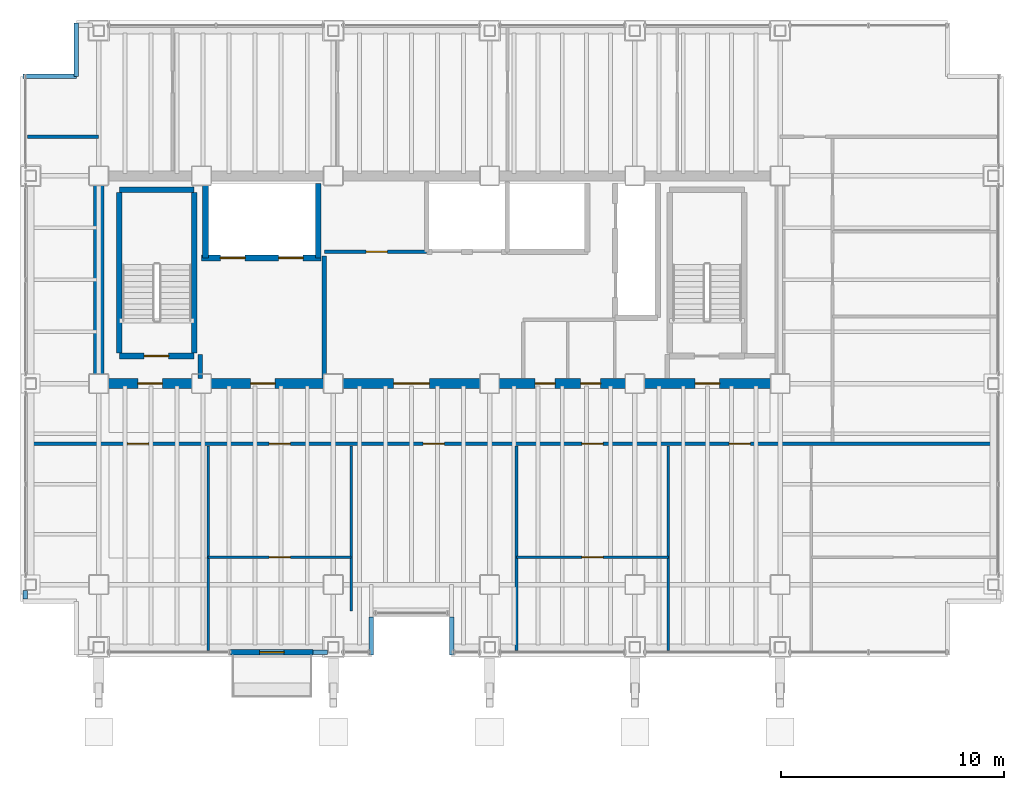
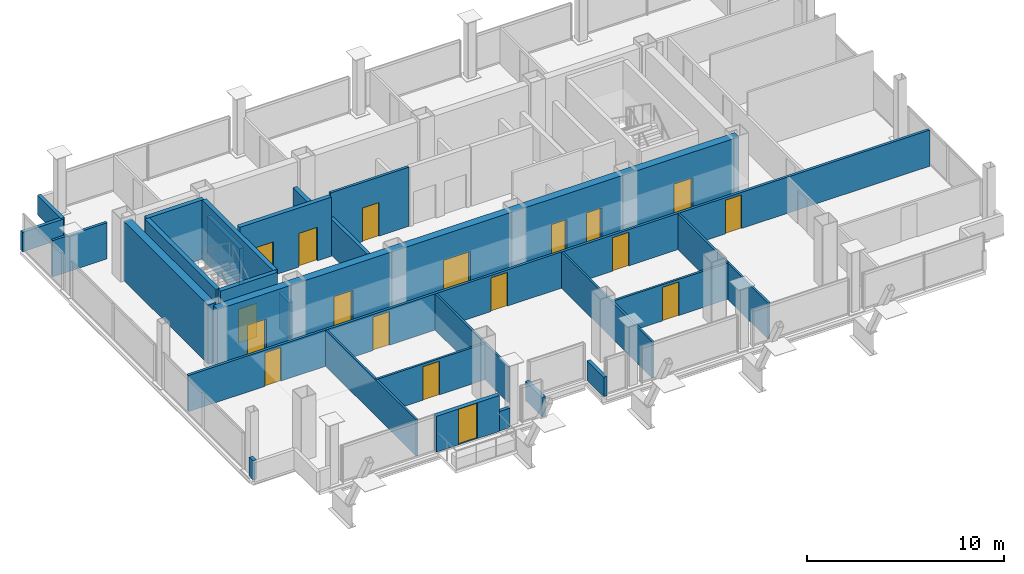
# One storey, part 13 of 16: 27 walls, 18 doors, 18 openings.
"""IFC4 building model written with IfcOpenShell, lengths in metres."""

import ifcopenshell
import ifcopenshell.guid

model = None  # the IFC model being written
_history = None  # IfcOwnerHistory: only IFC2X3 demands one
_inside = {}  # id of a spatial element -> (the spatial element, [elements in it])
_under = {}  # id of a project, library or spatial element -> (it, [spatial elements below it])
_declared = {}  # id of a project -> (the project, [libraries it declares])
_typed = {}  # id of a type object -> (the type object, [elements of that type])
_made_of = {}  # id of a material, layer set ... -> (it, [elements and type objects made of it])


def new_model(schema):
    """Start an empty IFC model of exactly this schema.

    Asked for "IFC4X3", IfcOpenShell would pick the latest addendum, in which some entities
    have other attributes; the version numbers below select the first issue.
    IFC2X3 requires an IfcOwnerHistory on every rooted entity: one is made here for all.
    """
    global model, _history
    if schema == "IFC4X3":
        model = ifcopenshell.file(schema_version=(4, 3, 0, 0))
    else:
        model = ifcopenshell.file(schema=schema)
    _inside.clear()
    _under.clear()
    _declared.clear()
    _typed.clear()
    _made_of.clear()
    _history = None
    if model.schema == "IFC2X3":
        org = make("IfcOrganization", Name="unknown")
        user = make(
            "IfcPersonAndOrganization",
            ThePerson=make("IfcPerson", FamilyName="unknown"),
            TheOrganization=org,
        )
        app = make(
            "IfcApplication",
            ApplicationDeveloper=org,
            Version="unknown",
            ApplicationFullName="unknown",
            ApplicationIdentifier="unknown",
        )
        _history = make(
            "IfcOwnerHistory",
            OwningUser=user,
            OwningApplication=app,
            ChangeAction="ADDED",
            CreationDate=0,
        )
    return model


def make(cls, **values):
    """One entity of the class cls with the attributes given. An attribute that is None is left unset."""
    return model.create_entity(
        cls, **{name: value for name, value in values.items() if value is not None}
    )


def rooted(cls, **values):
    """An entity with a GlobalId (a new one), such as an element, a storey or a relation."""
    return make(cls, GlobalId=ifcopenshell.guid.new(), OwnerHistory=_history, **values)


def si_unit(unit_type, name, prefix=None):
    """IfcSIUnit, for example si_unit("LENGTHUNIT", "METRE", prefix="MILLI")."""
    return make("IfcSIUnit", UnitType=unit_type, Prefix=prefix, Name=name)


def assignment(units):
    """IfcUnitAssignment: the units of a project."""
    return None if units is None else make("IfcUnitAssignment", Units=units)


def point(xyz):
    """IfcCartesianPoint."""
    return None if xyz is None else make("IfcCartesianPoint", Coordinates=xyz)


def direction(xyz):
    """IfcDirection."""
    return None if xyz is None else make("IfcDirection", DirectionRatios=xyz)


def frame(location, z_axis=None, x_axis=None):
    """IfcAxis2Placement3D, a coordinate frame: its origin and axes. An axis left out is left unset."""
    return make(
        "IfcAxis2Placement3D",
        Location=point(location),
        Axis=direction(z_axis),
        RefDirection=direction(x_axis),
    )


def frame_2d(location, x_axis=None):
    """IfcAxis2Placement2D, a coordinate frame in the plane: its origin and x axis."""
    return make(
        "IfcAxis2Placement2D", Location=point(location), RefDirection=direction(x_axis)
    )


def origin():
    """The frame at (0, 0, 0) with its axes left unset."""
    return frame((0.0, 0.0, 0.0))


def place(relative_to, where):
    """IfcLocalPlacement: puts the frame where relative to a parent placement (None: the world)."""
    return make(
        "IfcLocalPlacement", PlacementRelTo=relative_to, RelativePlacement=where
    )


def context(
    kind, dimensions, precision=None, world=None, true_north=None, identifier=None
):
    """IfcGeometricRepresentationContext, for example the 3D "Model" context."""
    return make(
        "IfcGeometricRepresentationContext",
        ContextIdentifier=identifier,
        ContextType=kind,
        CoordinateSpaceDimension=dimensions,
        Precision=precision,
        WorldCoordinateSystem=world,
        TrueNorth=true_north,
    )


def subcontext(parent, identifier, kind, view, scale=None):
    """IfcGeometricRepresentationSubContext, for example "Body" below "Model"."""
    return make(
        "IfcGeometricRepresentationSubContext",
        ContextIdentifier=identifier,
        ContextType=kind,
        ParentContext=parent,
        TargetScale=scale,
        TargetView=view,
    )


def project(units=None, contexts=None):
    """IfcProject with its units and contexts."""
    return rooted(
        "IfcProject",
        Name="project",
        RepresentationContexts=contexts,
        UnitsInContext=assignment(units),
    )


def spatial(cls, under=None, at=None, **own):
    """A site, building, storey or space (cls), placed at a placement, below another one or the project."""
    s = rooted(cls, ObjectPlacement=at, **own)
    if under is not None:
        _under.setdefault(under.id(), (under, []))[1].append(s)
    return s


def profile(cls, at=None, kind="AREA", **sizes):
    """A parametric profile (cls). Its sizes go by their IFC names, for example OverallWidth=200.0."""
    return make(cls, ProfileType=kind, Position=at, **sizes)


def rectangle(**sizes):
    """IfcRectangleProfileDef."""
    return profile("IfcRectangleProfileDef", **sizes)


def extrude(swept, where, along, depth):
    """IfcExtrudedAreaSolid: the profile swept, set in the frame where, extruded along a direction by depth."""
    return make(
        "IfcExtrudedAreaSolid",
        SweptArea=swept,
        Position=where,
        ExtrudedDirection=direction(along),
        Depth=depth,
    )


def shape(context_of_items, identifier, shape_type, items):
    """IfcShapeRepresentation: the items that make up one representation, for example the "Body"."""
    return make(
        "IfcShapeRepresentation",
        ContextOfItems=context_of_items,
        RepresentationIdentifier=identifier,
        RepresentationType=shape_type,
        Items=items,
    )


def material(Name=None, Category=None):
    """IfcMaterial."""
    return make("IfcMaterial", Name=Name, Category=Category)


def layer(
    of_material, thickness, ventilated=None, Name=None, Category=None, Priority=None
):
    """IfcMaterialLayer: one layer of a wall or slab, of a material (None: an air gap)."""
    return make(
        "IfcMaterialLayer",
        Material=of_material,
        LayerThickness=thickness,
        IsVentilated=ventilated,
        Name=Name,
        Category=Category,
        Priority=Priority,
    )


def layer_set(layers, Name=None):
    """IfcMaterialLayerSet."""
    return make("IfcMaterialLayerSet", MaterialLayers=layers, LayerSetName=Name)


def made_of(thing, what):
    """Note that an element or type object is made of a material, layer set ...; save() writes the relation."""
    if what is not None:
        _made_of.setdefault(what.id(), (what, []))[1].append(thing)
    return thing


def type_object(cls, material=None, **own):
    """A type object (cls), such as IfcWallType, which elements share."""
    return made_of(rooted(cls, **own), material)


def element(
    cls,
    number,
    at=None,
    inside=None,
    cuts=None,
    type_object=None,
    material=None,
    context=None,
    identifier="Body",
    shape_type=None,
    held_by="IfcProductDefinitionShape",
    body=None,
    shapes=None,
    **own,
):
    """One element of the class cls, such as IfcWall. Its Tag is "e" and its number.

    at: its placement. inside: the storey or other place that contains it. cuts: it is an
    opening in that element (IfcRelVoidsElement). A single representation is given by context,
    identifier, shape_type and body (its items); several are given by shapes. held_by: the class
    of the entity that holds the representations. save() writes the other relations.
    """
    e = rooted(cls, Tag="e%d" % number, ObjectPlacement=at, **own)
    if body is not None:
        shapes = [shape(context, identifier, shape_type, body)]
    if shapes is not None:
        e.Representation = make(held_by, Representations=shapes)
    if inside is not None:
        _inside.setdefault(inside.id(), (inside, []))[1].append(e)
    if cuts is not None:
        rooted(
            "IfcRelVoidsElement", RelatingBuildingElement=cuts, RelatedOpeningElement=e
        )
    if type_object is not None:
        _typed.setdefault(type_object.id(), (type_object, []))[1].append(e)
    return made_of(e, material)


def fill(opening, filler):
    """IfcRelFillsElement: the door or window that sits in an opening."""
    return rooted(
        "IfcRelFillsElement",
        RelatingOpeningElement=opening,
        RelatedBuildingElement=filler,
    )


def aggregate(whole, parts):
    """IfcRelAggregates: a whole, such as a stair, and the parts it consists of."""
    return rooted("IfcRelAggregates", RelatingObject=whole, RelatedObjects=parts)


def save(model, path):
    """Write the relations noted so far, then the file.

    IfcRelAggregates (storeys below a building ...), IfcRelContainedInSpatialStructure (elements
    in a storey), IfcRelDefinesByType, IfcRelAssociatesMaterial and IfcRelDeclares: one each for
    every whole, place, type object, material and project.
    """
    for whole, parts in _under.values():
        aggregate(whole, parts)
    for where, things in _inside.values():
        rooted(
            "IfcRelContainedInSpatialStructure",
            RelatedElements=things,
            RelatingStructure=where,
        )
    for kind, things in _typed.values():
        rooted("IfcRelDefinesByType", RelatedObjects=things, RelatingType=kind)
    for what, things in _made_of.values():
        rooted("IfcRelAssociatesMaterial", RelatedObjects=things, RelatingMaterial=what)
    for by, libraries in _declared.values():
        rooted("IfcRelDeclares", RelatingContext=by, RelatedDefinitions=libraries)
    model.write(path)


model = new_model("IFC4")

# Units and contexts
model_context = context("Model", 3, precision=1e-05, world=origin(), true_north=direction((0.0, 1.0)))
body_context = subcontext(model_context, "Body", "Model", "MODEL_VIEW")
ifc_project = project(units=[si_unit("LENGTHUNIT", "METRE"), si_unit("AREAUNIT", "SQUARE_METRE"), si_unit("VOLUMEUNIT", "CUBIC_METRE"), si_unit("PLANEANGLEUNIT", "RADIAN"), si_unit("MASSUNIT", "GRAM", prefix="KILO")], contexts=[model_context])

# Site, building, storey
site_placement = place(None, origin())
site = spatial("IfcSite", under=ifc_project, at=site_placement, CompositionType="ELEMENT")
building_placement = place(site_placement, origin())
building = spatial("IfcBuilding", under=site, at=building_placement, Name="Noeulbin Bourse Tower", CompositionType="ELEMENT")
storey_placement = place(building_placement, frame((0.0, 0.0, 192.89990234375)))
storey = spatial("IfcBuildingStorey", under=building, at=storey_placement, Name="L48", CompositionType="ELEMENT", Elevation=192.89990234375)

# Wall, openings, doors
ifc_material_1 = material(Name="Concrete C50/60", Category="concrete")
ifc_layer_1 = layer(ifc_material_1, 0.449951171875)
ifc_layer_set_1 = layer_set([ifc_layer_1], Name="Concrete C50/60")
wall_type_1 = type_object("IfcWallType", Name="WAL-CORE-450", PredefinedType="SHEAR", material=ifc_layer_set_1)
wall_1_placement = place(storey_placement, frame((13.5, 29.0, 0.0), z_axis=(0.0, 0.0, 1.0), x_axis=(1.0, 0.0, 0.0)))
wall_1 = element("IfcWall", 1, at=wall_1_placement, inside=storey, type_object=wall_type_1, Name="Rear Core South Shear Wall L48", PredefinedType="SHEAR", context=body_context, shape_type="SweptSolid", body=[
    extrude(rectangle(XDim=30.5, YDim=0.449951171875, at=frame_2d((15.25, 0.0))), origin(), (0.0, 0.0, 1.0), 3.66015625),
])
opening_1_placement = place(wall_1_placement, frame((1.75, 0.0, 0.0)))
opening_1 = element("IfcOpeningElement", 2, at=opening_1_placement, cuts=wall_1, Name="Opening FD-11", PredefinedType="OPENING", context=body_context, shape_type="SweptSolid", body=[
    extrude(rectangle(XDim=1.10009765625, YDim=2.080078125, at=frame_2d((0.550048828125, 1.0400390625))), frame((0.0, 0.23486328125, 0.0), z_axis=(0.0, -1.0, 0.0), x_axis=(1.0, 0.0, 0.0)), (0.0, 0.0, 1.0), 0.469970703125),
])
opening_2_placement = place(wall_1_placement, frame((26.699951171875, 0.0, 0.0)))
opening_2 = element("IfcOpeningElement", 3, at=opening_2_placement, cuts=wall_1, Name="Opening FD-11", PredefinedType="OPENING", context=body_context, shape_type="SweptSolid", body=[
    extrude(rectangle(XDim=1.10009765625, YDim=2.080078125, at=frame_2d((0.550048828125, 1.0400390625))), frame((0.0, 0.23486328125, 0.0), z_axis=(0.0, -1.0, 0.0), x_axis=(1.0, 0.0, 0.0)), (0.0, 0.0, 1.0), 0.469970703125),
])
opening_3_placement = place(wall_1_placement, frame((6.800048828125, 0.0, 0.0)))
opening_3 = element("IfcOpeningElement", 4, at=opening_3_placement, cuts=wall_1, Name="Opening FD-11", PredefinedType="OPENING", context=body_context, shape_type="SweptSolid", body=[
    extrude(rectangle(XDim=1.10009765625, YDim=2.080078125, at=frame_2d((0.550048828125, 1.0400390625))), frame((0.0, 0.23486328125, 0.0), z_axis=(0.0, -1.0, 0.0), x_axis=(1.0, 0.0, 0.0)), (0.0, 0.0, 1.0), 0.469970703125),
])
opening_4_placement = place(wall_1_placement, frame((13.199951171875, 0.0, 0.0)))
opening_4 = element("IfcOpeningElement", 5, at=opening_4_placement, cuts=wall_1, Name="Opening ID-16", PredefinedType="OPENING", context=body_context, shape_type="SweptSolid", body=[
    extrude(rectangle(XDim=1.60009765625, YDim=2.080078125, at=frame_2d((0.800048828125, 1.0400390625))), frame((0.0, 0.23486328125, 0.0), z_axis=(0.0, -1.0, 0.0), x_axis=(1.0, 0.0, 0.0)), (0.0, 0.0, 1.0), 0.469970703125),
])
opening_5_placement = place(wall_1_placement, frame((19.530029296875, 0.0, 0.0)))
opening_5 = element("IfcOpeningElement", 6, at=opening_5_placement, cuts=wall_1, Name="Opening FD-09", PredefinedType="OPENING", context=body_context, shape_type="SweptSolid", body=[
    extrude(rectangle(XDim=0.89990234375, YDim=2.080078125, at=frame_2d((0.449951171875, 1.0400390625))), frame((0.0, 0.23486328125, 0.0), z_axis=(0.0, -1.0, 0.0), x_axis=(1.0, 0.0, 0.0)), (0.0, 0.0, 1.0), 0.469970703125),
])
opening_6_placement = place(wall_1_placement, frame((21.570068359375, 0.0, 0.0)))
opening_6 = element("IfcOpeningElement", 7, at=opening_6_placement, cuts=wall_1, Name="Opening FD-09", PredefinedType="OPENING", context=body_context, shape_type="SweptSolid", body=[
    extrude(rectangle(XDim=0.89990234375, YDim=2.080078125, at=frame_2d((0.449951171875, 1.0400390625))), frame((0.0, 0.23486328125, 0.0), z_axis=(0.0, -1.0, 0.0), x_axis=(1.0, 0.0, 0.0)), (0.0, 0.0, 1.0), 0.469970703125),
])
ifc_material_2 = material(Name="Acoustic Glazed Aluminium", Category="aluminium")
door_type_1 = type_object("IfcDoorType", Name="DR-DBL-1600", OperationType="DOUBLE_DOOR_SINGLE_SWING", PredefinedType="DOOR", material=ifc_material_2)
door_1_placement = place(opening_4_placement, origin())
door_1 = element("IfcDoor", 8, at=door_1_placement, inside=storey, type_object=door_type_1, Name="Passenger Lift Lobby Portal L48", OperationType="DOUBLE_DOOR_SINGLE_SWING", OverallHeight=2.080078125, OverallWidth=1.60009765625, PredefinedType="DOOR", context=body_context, shape_type="SweptSolid", body=[
    extrude(rectangle(XDim=1.60009765625, YDim=2.080078125, at=frame_2d((0.800048828125, 1.0400390625))), frame((0.0, 0.02490234375, 0.0), z_axis=(0.0, -1.0, 0.0), x_axis=(1.0, 0.0, 0.0)), (0.0, 0.0, 1.0), 0.050048828125),
])
fill(opening_4, door_1)
ifc_material_3 = material(Name="Fire-Rated Timber Core", Category="wood")
door_type_2 = type_object("IfcDoorType", Name="DR-FD30-900", OperationType="SINGLE_SWING_RIGHT", PredefinedType="DOOR", material=ifc_material_3)
door_2_placement = place(opening_5_placement, origin())
door_2 = element("IfcDoor", 9, at=door_2_placement, inside=storey, type_object=door_type_2, Name="Interior Door L48-06", OperationType="SINGLE_SWING_RIGHT", OverallHeight=2.080078125, OverallWidth=0.89990234375, PredefinedType="DOOR", context=body_context, shape_type="SweptSolid", body=[
    extrude(rectangle(XDim=0.89990234375, YDim=2.080078125, at=frame_2d((0.449951171875, 1.0400390625))), frame((0.0, 0.02490234375, 0.0), z_axis=(0.0, -1.0, 0.0), x_axis=(1.0, 0.0, 0.0)), (0.0, 0.0, 1.0), 0.050048828125),
])
fill(opening_5, door_2)
door_3_placement = place(opening_6_placement, origin())
door_3 = element("IfcDoor", 10, at=door_3_placement, inside=storey, type_object=door_type_2, Name="Interior Door L48-07", OperationType="SINGLE_SWING_LEFT", OverallHeight=2.080078125, OverallWidth=0.89990234375, PredefinedType="DOOR", context=body_context, shape_type="SweptSolid", body=[
    extrude(rectangle(XDim=0.89990234375, YDim=2.080078125, at=frame_2d((0.449951171875, 1.0400390625))), frame((0.0, 0.02490234375, 0.0), z_axis=(0.0, -1.0, 0.0), x_axis=(1.0, 0.0, 0.0)), (0.0, 0.0, 1.0), 0.050048828125),
])
fill(opening_6, door_3)
ifc_material_4 = material(Name="Fire-Rated Insulated Steel", Category="steel")
door_type_3 = type_object("IfcDoorType", Name="DR-FD60-1100", OperationType="SINGLE_SWING_LEFT", PredefinedType="DOOR", material=ifc_material_4)
door_4_placement = place(opening_1_placement, origin())
door_4 = element("IfcDoor", 11, at=door_4_placement, inside=storey, type_object=door_type_3, Name="West Stair Lobby Door L48", OperationType="SINGLE_SWING_LEFT", OverallHeight=2.080078125, OverallWidth=1.10009765625, PredefinedType="DOOR", context=body_context, shape_type="SweptSolid", body=[
    extrude(rectangle(XDim=1.10009765625, YDim=2.080078125, at=frame_2d((0.550048828125, 1.0400390625))), frame((0.0, 0.02490234375, 0.0), z_axis=(0.0, -1.0, 0.0), x_axis=(1.0, 0.0, 0.0)), (0.0, 0.0, 1.0), 0.050048828125),
])
fill(opening_1, door_4)
door_5_placement = place(opening_2_placement, origin())
door_5 = element("IfcDoor", 12, at=door_5_placement, inside=storey, type_object=door_type_3, Name="East Stair Lobby Door L48", OperationType="SINGLE_SWING_RIGHT", OverallHeight=2.080078125, OverallWidth=1.10009765625, PredefinedType="DOOR", context=body_context, shape_type="SweptSolid", body=[
    extrude(rectangle(XDim=1.10009765625, YDim=2.080078125, at=frame_2d((0.550048828125, 1.0400390625))), frame((0.0, 0.02490234375, 0.0), z_axis=(0.0, -1.0, 0.0), x_axis=(1.0, 0.0, 0.0)), (0.0, 0.0, 1.0), 0.050048828125),
])
fill(opening_2, door_5)
door_6_placement = place(opening_3_placement, origin())
door_6 = element("IfcDoor", 13, at=door_6_placement, inside=storey, type_object=door_type_3, Name="Firefighting Lobby Door L48", OperationType="SINGLE_SWING_LEFT", OverallHeight=2.080078125, OverallWidth=1.10009765625, PredefinedType="DOOR", context=body_context, shape_type="SweptSolid", body=[
    extrude(rectangle(XDim=1.10009765625, YDim=2.080078125, at=frame_2d((0.550048828125, 1.0400390625))), frame((0.0, 0.02490234375, 0.0), z_axis=(0.0, -1.0, 0.0), x_axis=(1.0, 0.0, 0.0)), (0.0, 0.0, 1.0), 0.050048828125),
])
fill(opening_3, door_6)

# Wall
wall_2_placement = place(storey_placement, frame((13.5, 29.35009765625, 0.0), z_axis=(0.0, 0.0, 1.0), x_axis=(0.0, 1.0, 0.0)))
element("IfcWall", 14, at=wall_2_placement, inside=storey, type_object=wall_type_1, Name="Rear Core West Shear Wall L48", PredefinedType="SHEAR", context=body_context, shape_type="SweptSolid", body=[
    extrude(rectangle(XDim=8.599853515625, YDim=0.449951171875, at=frame_2d((4.2998046875, 0.0))), origin(), (0.0, 0.0, 1.0), 3.66015625),
])

# Wall, opening, door
ifc_material_5 = material(Name="Precast Concrete C40/50", Category="concrete")
ifc_layer_2 = layer(ifc_material_5, 0.25)
ifc_layer_set_2 = layer_set([ifc_layer_2], Name="Precast Concrete C40/50")
wall_type_2 = type_object("IfcWallType", Name="WAL-EXT-250", PredefinedType="STANDARD", material=ifc_layer_set_2)
wall_3_placement = place(storey_placement, frame((19.39990234375, 16.969970703125, 0.0), z_axis=(0.0, 0.0, 1.0), x_axis=(1.0, 0.0, 0.0)))
wall_3 = element("IfcWall", 15, at=wall_3_placement, inside=storey, type_object=wall_type_2, Name="Balcony Threshold Wall L48", PredefinedType="STANDARD", context=body_context, shape_type="SweptSolid", body=[
    extrude(rectangle(XDim=3.7001953125, YDim=0.25, at=frame_2d((1.85009765625, 0.0))), origin(), (0.0, 0.0, 1.0), 2.22021484375),
])
opening_7_placement = place(wall_3_placement, frame((1.300048828125, 0.0, 0.0)))
opening_7 = element("IfcOpeningElement", 16, at=opening_7_placement, cuts=wall_3, Name="Opening BD-11", PredefinedType="OPENING", context=body_context, shape_type="SweptSolid", body=[
    extrude(rectangle(XDim=1.10009765625, YDim=2.199951171875, at=frame_2d((0.550048828125, 1.10009765625))), frame((0.0, 0.135009765625, 0.0), z_axis=(0.0, -1.0, 0.0), x_axis=(1.0, 0.0, 0.0)), (0.0, 0.0, 1.0), 0.27001953125),
])
ifc_material_6 = material(Name="Thermally Broken Aluminium Framed Glass", Category="aluminium")
door_type_4 = type_object("IfcDoorType", Name="DR-BAL-1100", OperationType="SINGLE_SWING_LEFT", PredefinedType="DOOR", material=ifc_material_6)
door_7_placement = place(opening_7_placement, origin())
door_7 = element("IfcDoor", 17, at=door_7_placement, inside=storey, type_object=door_type_4, Name="Tree-Balcony Access Door BD-L48", OperationType="SINGLE_SWING_RIGHT", OverallHeight=2.199951171875, OverallWidth=1.10009765625, PredefinedType="DOOR", context=body_context, shape_type="SweptSolid", body=[
    extrude(rectangle(XDim=1.10009765625, YDim=2.199951171875, at=frame_2d((0.550048828125, 1.10009765625))), frame((0.0, 0.02490234375, 0.0), z_axis=(0.0, -1.0, 0.0), x_axis=(1.0, 0.0, 0.0)), (0.0, 0.0, 1.0), 0.050048828125),
])
fill(opening_7, door_7)

# Walls
ifc_material_7 = material(Name="Concrete C40/50", Category="concrete")
ifc_layer_3 = layer(ifc_material_7, 0.199951171875)
ifc_layer_set_3 = layer_set([ifc_layer_3], Name="Concrete C40/50")
wall_type_3 = type_object("IfcWallType", Name="WAL-FIRE-200", PredefinedType="STANDARD", material=ifc_layer_set_3)
wall_4_placement = place(storey_placement, frame((18.050048828125, 29.235107421875, 0.0), z_axis=(0.0, 0.0, 1.0), x_axis=(0.0, 1.0, 0.0)))
element("IfcWall", 18, at=wall_4_placement, inside=storey, type_object=wall_type_3, Name="Interior Partition Wall L48-12", PredefinedType="STANDARD", context=body_context, shape_type="SweptSolid", body=[
    extrude(rectangle(XDim=1.06494140625, YDim=0.199951171875, at=frame_2d((0.532470703125, 0.0))), origin(), (0.0, 0.0, 1.0), 2.239990234375),
])
wall_5_placement = place(storey_placement, frame((23.60009765625, 29.235107421875, 0.0), z_axis=(0.0, 0.0, 1.0), x_axis=(0.0, 1.0, 0.0)))
element("IfcWall", 19, at=wall_5_placement, inside=storey, type_object=wall_type_3, Name="Interior Partition Wall L48-14", PredefinedType="STANDARD", context=body_context, shape_type="SweptSolid", body=[
    extrude(rectangle(XDim=5.46484375, YDim=0.199951171875, at=frame_2d((2.732421875, 0.0))), origin(), (0.0, 0.0, 1.0), 2.239990234375),
])
ifc_layer_4 = layer(ifc_material_7, 0.199951171875)
ifc_layer_set_4 = layer_set([ifc_layer_4], Name="Concrete C40/50")
wall_type_4 = type_object("IfcWallType", Name="WAL-PAR-200", PredefinedType="PARAPET", material=ifc_layer_set_4)
wall_6_placement = place(storey_placement, frame((10.219970703125, 19.35009765625, 0.0), z_axis=(0.0, 0.0, 1.0), x_axis=(0.0, 1.0, 0.0)))
element("IfcWall", 20, at=wall_6_placement, inside=storey, type_object=wall_type_4, Name="Perimeter Pier Spandrel Parapet L48-W2", PredefinedType="PARAPET", context=body_context, shape_type="SweptSolid", body=[
    extrude(rectangle(XDim=0.3798828125, YDim=0.199951171875, at=frame_2d((0.18994140625, 0.0))), origin(), (0.0, 0.0, 1.0), 1.2001953125),
])
wall_7_placement = place(storey_placement, frame((23.10009765625, 16.969970703125, 0.0), z_axis=(0.0, 0.0, 1.0), x_axis=(1.0, 0.0, 0.0)))
element("IfcWall", 21, at=wall_7_placement, inside=storey, type_object=wall_type_4, Name="Perimeter Pier Spandrel Parapet L48-S5", PredefinedType="PARAPET", context=body_context, shape_type="SweptSolid", body=[
    extrude(rectangle(XDim=0.6298828125, YDim=0.199951171875, at=frame_2d((0.31494140625, 0.0))), origin(), (0.0, 0.0, 1.0), 1.2001953125),
])
for number, where, z_axis, x_axis, name in (
    (22, (10.10009765625, 42.75, 0.0), (0.0, 0.0, 1.0), (1.0, 0.0, 0.0), "Corner Notch Parapet L48-NW1"),
    (23, (12.5, 42.75, 0.0), (0.0, 0.0, 1.0), (0.0, 1.0, 0.0), "Corner Notch Parapet L48-NW2"),
):
    element("IfcWall", number, at=place(storey_placement, frame(where, z_axis=z_axis, x_axis=x_axis)), inside=storey, type_object=wall_type_4, Name=name, PredefinedType="PARAPET", context=body_context, shape_type="SweptSolid", body=[
        extrude(rectangle(XDim=2.39990234375, YDim=0.199951171875, at=frame_2d((1.199951171875, 0.0))), origin(), (0.0, 0.0, 1.0), 1.2001953125),
    ])
for number, where, z_axis, x_axis, name in (
    (24, (25.699951171875, 16.85009765625, 0.0), (0.0, 0.0, 1.0), (0.0, 1.0, 0.0), "Sky-Garden Recess Parapet L48-W"),
    (25, (29.300048828125, 18.550048828125, 0.0), (0.0, 0.0, 1.0), (0.0, -1.0, 0.0), "Sky-Garden Recess Parapet L48-E"),
):
    element("IfcWall", number, at=place(storey_placement, frame(where, z_axis=z_axis, x_axis=x_axis)), inside=storey, type_object=wall_type_4, Name=name, PredefinedType="PARAPET", context=body_context, shape_type="SweptSolid", body=[
        extrude(rectangle(XDim=1.699951171875, YDim=0.199951171875, at=frame_2d((0.85009765625, 0.0))), origin(), (0.0, 0.0, 1.0), 1.2001953125),
    ])

# Wall, opening, door
ifc_material_8 = material(Name="Steel Stud Gypsum Partition", Category="steel")
ifc_layer_5 = layer(ifc_material_8, 0.1201171875)
ifc_layer_set_5 = layer_set([ifc_layer_5], Name="Steel Stud Gypsum Partition")
wall_type_5 = type_object("IfcWallType", Name="WAL-PRT-120", PredefinedType="PARTITIONING", material=ifc_layer_set_5)
wall_8_placement = place(storey_placement, frame((18.39990234375, 21.218017578125, 0.0), z_axis=(0.0, 0.0, 1.0), x_axis=(1.0, 0.0, 0.0)))
wall_8 = element("IfcWall", 26, at=wall_8_placement, inside=storey, type_object=wall_type_5, Name="Interior Partition Wall L48-05", PredefinedType="PARTITIONING", context=body_context, shape_type="SweptSolid", body=[
    extrude(rectangle(XDim=6.400146484375, YDim=0.1201171875, at=frame_2d((3.2001953125, 0.0))), origin(), (0.0, 0.0, 1.0), 2.239990234375),
])
opening_8_placement = place(wall_8_placement, frame((2.72509765625, 0.0, 0.0)))
opening_8 = element("IfcOpeningElement", 27, at=opening_8_placement, cuts=wall_8, Name="Opening ID-09", PredefinedType="OPENING", context=body_context, shape_type="SweptSolid", body=[
    extrude(rectangle(XDim=0.949951171875, YDim=2.080078125, at=frame_2d((0.47509765625, 1.0400390625))), frame((0.0, 0.070068359375, 0.0), z_axis=(0.0, -1.0, 0.0), x_axis=(1.0, 0.0, 0.0)), (0.0, 0.0, 1.0), 0.14013671875),
])
ifc_material_9 = material(Name="Acoustic Solid-Core Timber", Category="wood")
door_type_5 = type_object("IfcDoorType", Name="DR-SINGLE-950", OperationType="SINGLE_SWING_LEFT", PredefinedType="DOOR", material=ifc_material_9)
door_8_placement = place(opening_8_placement, origin())
door_8 = element("IfcDoor", 28, at=door_8_placement, inside=storey, type_object=door_type_5, Name="Interior Door L48-09", OperationType="SINGLE_SWING_LEFT", OverallHeight=2.080078125, OverallWidth=0.949951171875, PredefinedType="DOOR", context=body_context, shape_type="SweptSolid", body=[
    extrude(rectangle(XDim=0.949951171875, YDim=2.080078125, at=frame_2d((0.47509765625, 1.0400390625))), frame((0.0, 0.02490234375, 0.0), z_axis=(0.0, -1.0, 0.0), x_axis=(1.0, 0.0, 0.0)), (0.0, 0.0, 1.0), 0.050048828125),
])
fill(opening_8, door_8)

wall_9_placement = place(storey_placement, frame((32.199951171875, 21.218017578125, 0.0), z_axis=(0.0, 0.0, 1.0), x_axis=(1.0, 0.0, 0.0)))
wall_9 = element("IfcWall", 29, at=wall_9_placement, inside=storey, type_object=wall_type_5, Name="Interior Partition Wall L48-06", PredefinedType="PARTITIONING", context=body_context, shape_type="SweptSolid", body=[
    extrude(rectangle(XDim=6.800048828125, YDim=0.1201171875, at=frame_2d((3.39990234375, 0.0))), origin(), (0.0, 0.0, 1.0), 2.239990234375),
])
opening_9_placement = place(wall_9_placement, frame((2.925048828125, 0.0, 0.0)))
opening_9 = element("IfcOpeningElement", 30, at=opening_9_placement, cuts=wall_9, Name="Opening ID-09", PredefinedType="OPENING", context=body_context, shape_type="SweptSolid", body=[
    extrude(rectangle(XDim=0.949951171875, YDim=2.080078125, at=frame_2d((0.47509765625, 1.0400390625))), frame((0.0, 0.070068359375, 0.0), z_axis=(0.0, -1.0, 0.0), x_axis=(1.0, 0.0, 0.0)), (0.0, 0.0, 1.0), 0.14013671875),
])
door_9_placement = place(opening_9_placement, origin())
door_9 = element("IfcDoor", 31, at=door_9_placement, inside=storey, type_object=door_type_5, Name="Interior Door L48-12", OperationType="SINGLE_SWING_RIGHT", OverallHeight=2.080078125, OverallWidth=0.949951171875, PredefinedType="DOOR", context=body_context, shape_type="SweptSolid", body=[
    extrude(rectangle(XDim=0.949951171875, YDim=2.080078125, at=frame_2d((0.47509765625, 1.0400390625))), frame((0.0, 0.02490234375, 0.0), z_axis=(0.0, -1.0, 0.0), x_axis=(1.0, 0.0, 0.0)), (0.0, 0.0, 1.0), 0.050048828125),
])
fill(opening_9, door_9)

# Walls
wall_10_placement = place(storey_placement, frame((18.39990234375, 17.06005859375, 0.0), z_axis=(0.0, 0.0, 1.0), x_axis=(0.0, 1.0, 0.0)))
element("IfcWall", 32, at=wall_10_placement, inside=storey, type_object=wall_type_5, Name="Interior Partition Wall L48-19", PredefinedType="PARTITIONING", context=body_context, shape_type="SweptSolid", body=[
    extrude(rectangle(XDim=9.155029296875, YDim=0.1201171875, at=frame_2d((4.57763671875, 0.0))), origin(), (0.0, 0.0, 1.0), 2.239990234375),
])
wall_11_placement = place(storey_placement, frame((24.800048828125, 18.820068359375, 0.0), z_axis=(0.0, 0.0, 1.0), x_axis=(0.0, 1.0, 0.0)))
element("IfcWall", 33, at=wall_11_placement, inside=storey, type_object=wall_type_5, Name="Interior Partition Wall L48-20", PredefinedType="PARTITIONING", context=body_context, shape_type="SweptSolid", body=[
    extrude(rectangle(XDim=7.39501953125, YDim=0.1201171875, at=frame_2d((3.697509765625, 0.0))), origin(), (0.0, 0.0, 1.0), 2.239990234375),
])
for number, where, z_axis, x_axis, name in (
    (34, (32.199951171875, 17.06005859375, 0.0), (0.0, 0.0, 1.0), (0.0, 1.0, 0.0), "Interior Partition Wall L48-21"),
    (35, (39.0, 17.06005859375, 0.0), (0.0, 0.0, 1.0), (0.0, 1.0, 0.0), "Interior Partition Wall L48-22"),
):
    element("IfcWall", number, at=place(storey_placement, frame(where, z_axis=z_axis, x_axis=x_axis)), inside=storey, type_object=wall_type_5, Name=name, PredefinedType="PARTITIONING", context=body_context, shape_type="SweptSolid", body=[
        extrude(rectangle(XDim=9.155029296875, YDim=0.1201171875, at=frame_2d((4.57763671875, 0.0))), origin(), (0.0, 0.0, 1.0), 2.239990234375),
    ])

# Wall, opening, door
ifc_material_10 = material(Name="Steel Stud Acoustic Gypsum Board", Category="steel")
ifc_layer_6 = layer(ifc_material_10, 0.14990234375)
ifc_layer_set_6 = layer_set([ifc_layer_6], Name="Steel Stud Acoustic Gypsum Board")
wall_type_6 = type_object("IfcWallType", Name="WAL-PRT-150", PredefinedType="PARTITIONING", material=ifc_layer_set_6)
wall_12_placement = place(storey_placement, frame((23.60009765625, 34.89990234375, 0.0), z_axis=(0.0, 0.0, 1.0), x_axis=(1.0, 0.0, 0.0)))
wall_12 = element("IfcWall", 36, at=wall_12_placement, inside=storey, type_object=wall_type_6, Name="Interior Partition Wall L48-02", PredefinedType="PARTITIONING", context=body_context, shape_type="SweptSolid", body=[
    extrude(rectangle(XDim=4.579833984375, YDim=0.14990234375, at=frame_2d((2.2900390625, 0.0))), origin(), (0.0, 0.0, 1.0), 3.66015625),
])
opening_10_placement = place(wall_12_placement, frame((1.875, 0.0, 0.0)))
opening_10 = element("IfcOpeningElement", 37, at=opening_10_placement, cuts=wall_12, Name="Opening ID-09", PredefinedType="OPENING", context=body_context, shape_type="SweptSolid", body=[
    extrude(rectangle(XDim=0.949951171875, YDim=2.080078125, at=frame_2d((0.47509765625, 1.0400390625))), frame((0.0, 0.0849609375, 0.0), z_axis=(0.0, -1.0, 0.0), x_axis=(1.0, 0.0, 0.0)), (0.0, 0.0, 1.0), 0.169921875),
])
door_10_placement = place(opening_10_placement, origin())
door_10 = element("IfcDoor", 38, at=door_10_placement, inside=storey, type_object=door_type_5, Name="Archive Room Door L48", OperationType="SINGLE_SWING_LEFT", OverallHeight=2.080078125, OverallWidth=0.949951171875, PredefinedType="DOOR", context=body_context, shape_type="SweptSolid", body=[
    extrude(rectangle(XDim=0.949951171875, YDim=2.080078125, at=frame_2d((0.47509765625, 1.0400390625))), frame((0.0, 0.02490234375, 0.0), z_axis=(0.0, -1.0, 0.0), x_axis=(1.0, 0.0, 0.0)), (0.0, 0.0, 1.0), 0.050048828125),
])
fill(opening_10, door_10)

# Wall, openings, doors
wall_13_placement = place(storey_placement, frame((10.31005859375, 26.300048828125, 0.0), z_axis=(0.0, 0.0, 1.0), x_axis=(1.0, 0.0, 0.0)))
wall_13 = element("IfcWall", 39, at=wall_13_placement, inside=storey, type_object=wall_type_6, Name="Interior Partition Wall L48-04", PredefinedType="PARTITIONING", context=body_context, shape_type="SweptSolid", body=[
    extrude(rectangle(XDim=43.3798828125, YDim=0.14990234375, at=frame_2d((21.68994140625, 0.0))), origin(), (0.0, 0.0, 1.0), 2.239990234375),
])
opening_11_placement = place(wall_13_placement, frame((4.469970703125, 0.0, 0.0)))
opening_11 = element("IfcOpeningElement", 40, at=opening_11_placement, cuts=wall_13, Name="Opening ID-09", PredefinedType="OPENING", context=body_context, shape_type="SweptSolid", body=[
    extrude(rectangle(XDim=0.949951171875, YDim=2.080078125, at=frame_2d((0.47509765625, 1.0400390625))), frame((0.0, 0.0849609375, 0.0), z_axis=(0.0, -1.0, 0.0), x_axis=(1.0, 0.0, 0.0)), (0.0, 0.0, 1.0), 0.169921875),
])
opening_12_placement = place(wall_13_placement, frame((10.81494140625, 0.0, 0.0)))
opening_12 = element("IfcOpeningElement", 41, at=opening_12_placement, cuts=wall_13, Name="Opening ID-09", PredefinedType="OPENING", context=body_context, shape_type="SweptSolid", body=[
    extrude(rectangle(XDim=0.949951171875, YDim=2.080078125, at=frame_2d((0.47509765625, 1.0400390625))), frame((0.0, 0.0849609375, 0.0), z_axis=(0.0, -1.0, 0.0), x_axis=(1.0, 0.0, 0.0)), (0.0, 0.0, 1.0), 0.169921875),
])
opening_13_placement = place(wall_13_placement, frame((17.715087890625, 0.0, 0.0)))
opening_13 = element("IfcOpeningElement", 42, at=opening_13_placement, cuts=wall_13, Name="Opening ID-09", PredefinedType="OPENING", context=body_context, shape_type="SweptSolid", body=[
    extrude(rectangle(XDim=0.949951171875, YDim=2.080078125, at=frame_2d((0.47509765625, 1.0400390625))), frame((0.0, 0.0849609375, 0.0), z_axis=(0.0, -1.0, 0.0), x_axis=(1.0, 0.0, 0.0)), (0.0, 0.0, 1.0), 0.169921875),
])
opening_14_placement = place(wall_13_placement, frame((24.81494140625, 0.0, 0.0)))
opening_14 = element("IfcOpeningElement", 43, at=opening_14_placement, cuts=wall_13, Name="Opening ID-09", PredefinedType="OPENING", context=body_context, shape_type="SweptSolid", body=[
    extrude(rectangle(XDim=0.949951171875, YDim=2.080078125, at=frame_2d((0.47509765625, 1.0400390625))), frame((0.0, 0.0849609375, 0.0), z_axis=(0.0, -1.0, 0.0), x_axis=(1.0, 0.0, 0.0)), (0.0, 0.0, 1.0), 0.169921875),
])
opening_15_placement = place(wall_13_placement, frame((31.4150390625, 0.0, 0.0)))
opening_15 = element("IfcOpeningElement", 44, at=opening_15_placement, cuts=wall_13, Name="Opening ID-09", PredefinedType="OPENING", context=body_context, shape_type="SweptSolid", body=[
    extrude(rectangle(XDim=0.949951171875, YDim=2.080078125, at=frame_2d((0.47509765625, 1.0400390625))), frame((0.0, 0.0849609375, 0.0), z_axis=(0.0, -1.0, 0.0), x_axis=(1.0, 0.0, 0.0)), (0.0, 0.0, 1.0), 0.169921875),
])
door_11_placement = place(opening_11_placement, origin())
door_11 = element("IfcDoor", 45, at=door_11_placement, inside=storey, type_object=door_type_5, Name="Interior Door L48-08", OperationType="SINGLE_SWING_RIGHT", OverallHeight=2.080078125, OverallWidth=0.949951171875, PredefinedType="DOOR", context=body_context, shape_type="SweptSolid", body=[
    extrude(rectangle(XDim=0.949951171875, YDim=2.080078125, at=frame_2d((0.47509765625, 1.0400390625))), frame((0.0, 0.02490234375, 0.0), z_axis=(0.0, -1.0, 0.0), x_axis=(1.0, 0.0, 0.0)), (0.0, 0.0, 1.0), 0.050048828125),
])
fill(opening_11, door_11)
door_12_placement = place(opening_12_placement, origin())
door_12 = element("IfcDoor", 46, at=door_12_placement, inside=storey, type_object=door_type_5, Name="Interior Door L48-10", OperationType="SINGLE_SWING_RIGHT", OverallHeight=2.080078125, OverallWidth=0.949951171875, PredefinedType="DOOR", context=body_context, shape_type="SweptSolid", body=[
    extrude(rectangle(XDim=0.949951171875, YDim=2.080078125, at=frame_2d((0.47509765625, 1.0400390625))), frame((0.0, 0.02490234375, 0.0), z_axis=(0.0, -1.0, 0.0), x_axis=(1.0, 0.0, 0.0)), (0.0, 0.0, 1.0), 0.050048828125),
])
fill(opening_12, door_12)
door_13_placement = place(opening_13_placement, origin())
door_13 = element("IfcDoor", 47, at=door_13_placement, inside=storey, type_object=door_type_5, Name="Interior Door L48-11", OperationType="SINGLE_SWING_LEFT", OverallHeight=2.080078125, OverallWidth=0.949951171875, PredefinedType="DOOR", context=body_context, shape_type="SweptSolid", body=[
    extrude(rectangle(XDim=0.949951171875, YDim=2.080078125, at=frame_2d((0.47509765625, 1.0400390625))), frame((0.0, 0.02490234375, 0.0), z_axis=(0.0, -1.0, 0.0), x_axis=(1.0, 0.0, 0.0)), (0.0, 0.0, 1.0), 0.050048828125),
])
fill(opening_13, door_13)
door_14_placement = place(opening_14_placement, origin())
door_14 = element("IfcDoor", 48, at=door_14_placement, inside=storey, type_object=door_type_5, Name="Interior Door L48-13", OperationType="SINGLE_SWING_LEFT", OverallHeight=2.080078125, OverallWidth=0.949951171875, PredefinedType="DOOR", context=body_context, shape_type="SweptSolid", body=[
    extrude(rectangle(XDim=0.949951171875, YDim=2.080078125, at=frame_2d((0.47509765625, 1.0400390625))), frame((0.0, 0.02490234375, 0.0), z_axis=(0.0, -1.0, 0.0), x_axis=(1.0, 0.0, 0.0)), (0.0, 0.0, 1.0), 0.050048828125),
])
fill(opening_14, door_14)
door_15_placement = place(opening_15_placement, origin())
door_15 = element("IfcDoor", 49, at=door_15_placement, inside=storey, type_object=door_type_5, Name="Interior Door L48-14", OperationType="SINGLE_SWING_RIGHT", OverallHeight=2.080078125, OverallWidth=0.949951171875, PredefinedType="DOOR", context=body_context, shape_type="SweptSolid", body=[
    extrude(rectangle(XDim=0.949951171875, YDim=2.080078125, at=frame_2d((0.47509765625, 1.0400390625))), frame((0.0, 0.02490234375, 0.0), z_axis=(0.0, -1.0, 0.0), x_axis=(1.0, 0.0, 0.0)), (0.0, 0.0, 1.0), 0.050048828125),
])
fill(opening_15, door_15)

# Wall
wall_14_placement = place(storey_placement, frame((10.31005859375, 40.050048828125, 0.0), z_axis=(0.0, 0.0, 1.0), x_axis=(1.0, 0.0, 0.0)))
element("IfcWall", 50, at=wall_14_placement, inside=storey, type_object=wall_type_6, Name="Interior Partition Wall L48-10", PredefinedType="PARTITIONING", context=body_context, shape_type="SweptSolid", body=[
    extrude(rectangle(XDim=3.18994140625, YDim=0.14990234375, at=frame_2d((1.594970703125, 0.0))), origin(), (0.0, 0.0, 1.0), 2.239990234375),
])

# Wall, opening, door
ifc_layer_7 = layer(ifc_material_7, 0.25)
ifc_layer_set_7 = layer_set([ifc_layer_7], Name="Concrete C40/50")
wall_type_7 = type_object("IfcWallType", Name="WAL-SHFT-250", PredefinedType="STANDARD", material=ifc_layer_set_7)
wall_15_placement = place(storey_placement, frame((14.429931640625, 30.235107421875, 0.0), z_axis=(0.0, 0.0, 1.0), x_axis=(1.0, 0.0, 0.0)))
wall_15 = element("IfcWall", 51, at=wall_15_placement, inside=storey, type_object=wall_type_7, Name="Stair ST-1 South Shaft Wall L48", PredefinedType="STANDARD", context=body_context, shape_type="SweptSolid", body=[
    extrude(rectangle(XDim=3.340087890625, YDim=0.25, at=frame_2d((1.669921875, 0.0))), origin(), (0.0, 0.0, 1.0), 3.66015625),
])
opening_16_placement = place(wall_15_placement, frame((1.10009765625, 0.0, 0.0)))
opening_16 = element("IfcOpeningElement", 52, at=opening_16_placement, cuts=wall_15, Name="Opening FD-11", PredefinedType="OPENING", context=body_context, shape_type="SweptSolid", body=[
    extrude(rectangle(XDim=1.10009765625, YDim=2.080078125, at=frame_2d((0.550048828125, 1.0400390625))), frame((0.0, 0.135009765625, 0.0), z_axis=(0.0, -1.0, 0.0), x_axis=(1.0, 0.0, 0.0)), (0.0, 0.0, 1.0), 0.27001953125),
])
door_16_placement = place(opening_16_placement, origin())
door_16 = element("IfcDoor", 53, at=door_16_placement, inside=storey, type_object=door_type_3, Name="Protected Stair Entry Door ST1-L48", OperationType="SINGLE_SWING_LEFT", OverallHeight=2.080078125, OverallWidth=1.10009765625, PredefinedType="DOOR", context=body_context, shape_type="SweptSolid", body=[
    extrude(rectangle(XDim=1.10009765625, YDim=2.080078125, at=frame_2d((0.550048828125, 1.0400390625))), frame((0.0, 0.02490234375, 0.0), z_axis=(0.0, -1.0, 0.0), x_axis=(1.0, 0.0, 0.0)), (0.0, 0.0, 1.0), 0.050048828125),
])
fill(opening_16, door_16)

# Walls
wall_16_placement = place(storey_placement, frame((14.429931640625, 37.6689453125, 0.0), z_axis=(0.0, 0.0, 1.0), x_axis=(1.0, 0.0, 0.0)))
element("IfcWall", 54, at=wall_16_placement, inside=storey, type_object=wall_type_7, Name="Stair ST-1 North Shaft Wall L48", PredefinedType="STANDARD", context=body_context, shape_type="SweptSolid", body=[
    extrude(rectangle(XDim=3.340087890625, YDim=0.25, at=frame_2d((1.669921875, 0.0))), origin(), (0.0, 0.0, 1.0), 3.66015625),
])
for number, where, z_axis, x_axis, name in (
    (55, (14.425048828125, 30.360107421875, 0.0), (0.0, 0.0, 1.0), (0.0, 1.0, 0.0), "Stair ST-1 West Shaft Wall L48"),
    (56, (17.77490234375, 30.360107421875, 0.0), (0.0, 0.0, 1.0), (0.0, 1.0, 0.0), "Stair ST-1 East Shaft Wall L48"),
):
    element("IfcWall", number, at=place(storey_placement, frame(where, z_axis=z_axis, x_axis=x_axis)), inside=storey, type_object=wall_type_7, Name=name, PredefinedType="STANDARD", context=body_context, shape_type="SweptSolid", body=[
        extrude(rectangle(XDim=7.183837890625, YDim=0.25, at=frame_2d((3.591796875, 0.0))), origin(), (0.0, 0.0, 1.0), 3.66015625),
    ])

# Wall, openings, doors
wall_17_placement = place(storey_placement, frame((18.10009765625, 34.6201171875, 0.0), z_axis=(0.0, 0.0, 1.0), x_axis=(1.0, 0.0, 0.0)))
wall_17 = element("IfcWall", 57, at=wall_17_placement, inside=storey, type_object=wall_type_7, Name="Firefighting Lift Shaft Front L48", PredefinedType="STANDARD", context=body_context, shape_type="SweptSolid", body=[
    extrude(rectangle(XDim=5.349853515625, YDim=0.25, at=frame_2d((2.6748046875, 0.0))), origin(), (0.0, 0.0, 1.0), 3.66015625),
])
opening_17_placement = place(wall_17_placement, frame((0.85009765625, 0.0, 0.0)))
opening_17 = element("IfcOpeningElement", 58, at=opening_17_placement, cuts=wall_17, Name="Opening LD-11", PredefinedType="OPENING", context=body_context, shape_type="SweptSolid", body=[
    extrude(rectangle(XDim=1.10009765625, YDim=2.080078125, at=frame_2d((0.550048828125, 1.0400390625))), frame((0.0, 0.135009765625, 0.0), z_axis=(0.0, -1.0, 0.0), x_axis=(1.0, 0.0, 0.0)), (0.0, 0.0, 1.0), 0.27001953125),
])
opening_18_placement = place(wall_17_placement, frame((3.449951171875, 0.0, 0.0)))
opening_18 = element("IfcOpeningElement", 59, at=opening_18_placement, cuts=wall_17, Name="Opening LD-11", PredefinedType="OPENING", context=body_context, shape_type="SweptSolid", body=[
    extrude(rectangle(XDim=1.10009765625, YDim=2.080078125, at=frame_2d((0.550048828125, 1.0400390625))), frame((0.0, 0.135009765625, 0.0), z_axis=(0.0, -1.0, 0.0), x_axis=(1.0, 0.0, 0.0)), (0.0, 0.0, 1.0), 0.27001953125),
])
ifc_material_11 = material(Name="Brushed Stainless Steel 316", Category="steel")
door_type_6 = type_object("IfcDoorType", Name="DR-LIFT-1100", OperationType="SLIDING_TO_LEFT", PredefinedType="DOOR", material=ifc_material_11)
door_17_placement = place(opening_17_placement, origin())
door_17 = element("IfcDoor", 60, at=door_17_placement, inside=storey, type_object=door_type_6, Name="Lift Landing Door LD-FL-01-L48", OperationType="SLIDING_TO_LEFT", OverallHeight=2.080078125, OverallWidth=1.10009765625, PredefinedType="DOOR", context=body_context, shape_type="SweptSolid", body=[
    extrude(rectangle(XDim=1.10009765625, YDim=2.080078125, at=frame_2d((0.550048828125, 1.0400390625))), frame((0.0, 0.02490234375, 0.0), z_axis=(0.0, -1.0, 0.0), x_axis=(1.0, 0.0, 0.0)), (0.0, 0.0, 1.0), 0.050048828125),
])
fill(opening_17, door_17)
door_18_placement = place(opening_18_placement, origin())
door_18 = element("IfcDoor", 61, at=door_18_placement, inside=storey, type_object=door_type_6, Name="Lift Landing Door LD-FL-02-L48", OperationType="SLIDING_TO_LEFT", OverallHeight=2.080078125, OverallWidth=1.10009765625, PredefinedType="DOOR", context=body_context, shape_type="SweptSolid", body=[
    extrude(rectangle(XDim=1.10009765625, YDim=2.080078125, at=frame_2d((0.550048828125, 1.0400390625))), frame((0.0, 0.02490234375, 0.0), z_axis=(0.0, -1.0, 0.0), x_axis=(1.0, 0.0, 0.0)), (0.0, 0.0, 1.0), 0.050048828125),
])
fill(opening_18, door_18)

# Walls
for number, where, z_axis, x_axis, name in (
    (62, (18.280029296875, 34.6201171875, 0.0), (0.0, 0.0, 1.0), (0.0, 1.0, 0.0), "Firefighting Lift West Shaft Wall L48"),
    (63, (23.320068359375, 34.6201171875, 0.0), (0.0, 0.0, 1.0), (0.0, 1.0, 0.0), "Firefighting Lift East Shaft Wall L48"),
):
    element("IfcWall", number, at=place(storey_placement, frame(where, z_axis=z_axis, x_axis=x_axis)), inside=storey, type_object=wall_type_7, Name=name, PredefinedType="STANDARD", context=body_context, shape_type="SweptSolid", body=[
        extrude(rectangle(XDim=3.329833984375, YDim=0.25, at=frame_2d((1.6650390625, 0.0))), origin(), (0.0, 0.0, 1.0), 2.239990234375),
    ])

save(model, "model.ifc")
